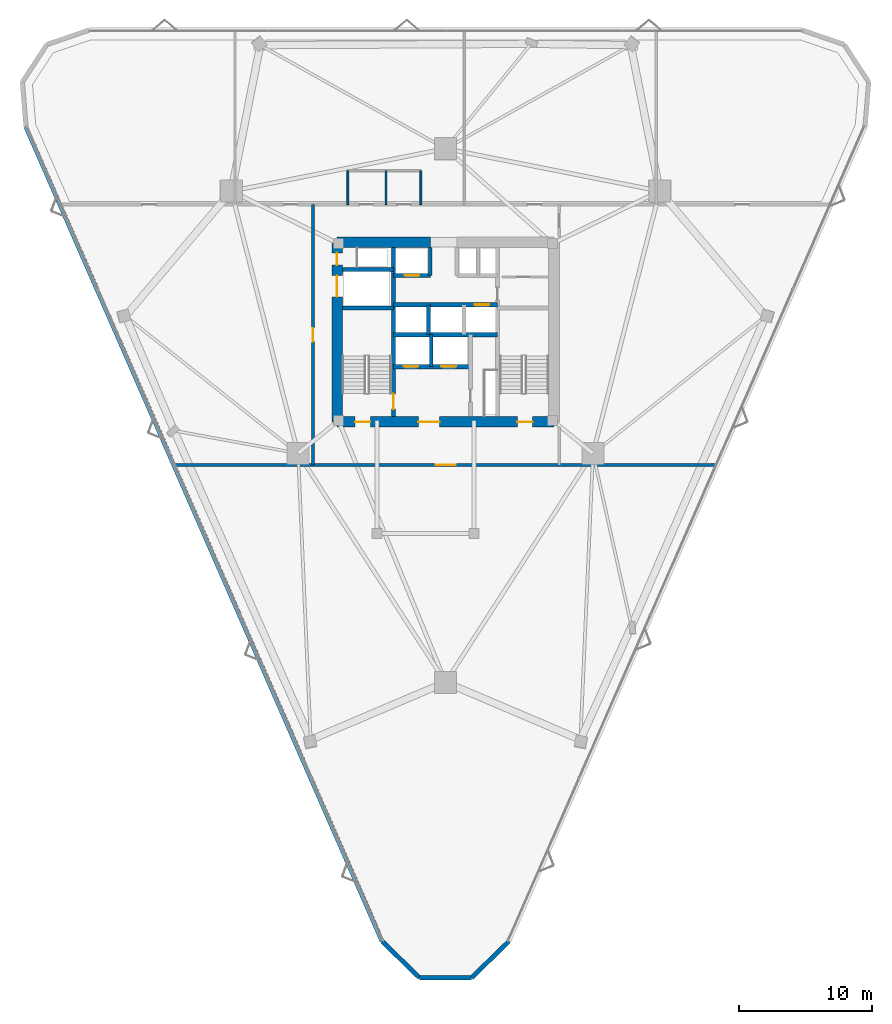
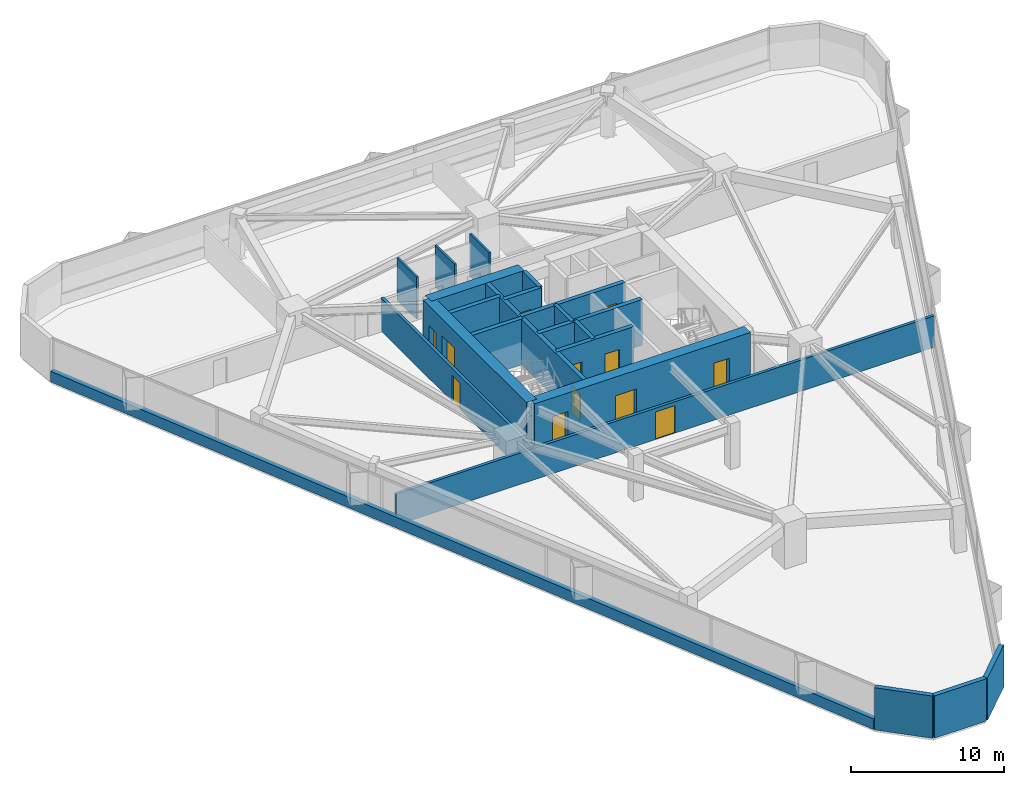
# One storey, part 15 of 20: 22 walls, 12 doors, 12 openings.
"""IFC4 building model written with IfcOpenShell, lengths in metres."""

from ifc_helpers import new_model, si_unit, direction, frame, frame_2d, origin, place, context, subcontext, project, spatial, rectangle, extrude, material, layer, layer_set, type_object, element, fill, save


model = new_model("IFC4")

# Units and contexts
model_context = context("Model", 3, precision=1e-05, world=origin(), true_north=direction((0.0, 1.0)))
body_context = subcontext(model_context, "Body", "Model", "MODEL_VIEW")
ifc_project = project(units=[si_unit("LENGTHUNIT", "METRE"), si_unit("AREAUNIT", "SQUARE_METRE"), si_unit("VOLUMEUNIT", "CUBIC_METRE"), si_unit("PLANEANGLEUNIT", "RADIAN"), si_unit("MASSUNIT", "GRAM", prefix="KILO")], contexts=[model_context])

# Site, building, storey
site_placement = place(None, origin())
site = spatial("IfcSite", under=ifc_project, at=site_placement, CompositionType="ELEMENT")
building_placement = place(site_placement, origin())
building = spatial("IfcBuilding", under=site, at=building_placement, Name="Talyreon Biosciences Tower", CompositionType="ELEMENT")
storey_placement = place(building_placement, frame((0.0, 0.0, 78.64990234375)))
storey = spatial("IfcBuildingStorey", under=building, at=storey_placement, Name="L20", CompositionType="ELEMENT", Elevation=78.64990234375)

# Walls
ifc_material_1 = material(Name="Concrete C50/60", Category="concrete")
ifc_layer_1 = layer(ifc_material_1, 0.280029296875)
ifc_layer_set_1 = layer_set([ifc_layer_1], Name="Concrete C50/60")
wall_type_1 = type_object("IfcWallType", Name="CoreShearWall_280", PredefinedType="SHEAR", material=ifc_layer_set_1)
wall_1_placement = place(storey_placement, frame((64.919921875, 65.39990234375, 0.0), z_axis=(0.0, 0.0, 1.0), x_axis=(0.0, 1.0, 0.0)))
element("IfcWall", 1, at=wall_1_placement, inside=storey, type_object=wall_type_1, Name="L20 Core Shaft Wall SWSHD1", PredefinedType="SHEAR", context=body_context, shape_type="SweptSolid", body=[
    extrude(rectangle(XDim=2.400146484375, YDim=0.280029296875, at=frame_2d((1.2001953125, 0.0))), origin(), (0.0, 0.0, 1.0), 3.650146484375),
])
wall_2_placement = place(storey_placement, frame((64.85009765625, 72.25, 0.0), z_axis=(0.0, 0.0, 1.0), x_axis=(0.0, 1.0, 0.0)))
element("IfcWall", 2, at=wall_2_placement, inside=storey, type_object=wall_type_1, Name="L20 Core Shaft Wall SWTHW", PredefinedType="SHEAR", context=body_context, shape_type="SweptSolid", body=[
    extrude(rectangle(XDim=2.10009765625, YDim=0.280029296875, at=frame_2d((1.050048828125, 0.0))), origin(), (0.0, 0.0, 1.0), 3.650146484375),
])
wall_3_placement = place(storey_placement, frame((64.719970703125, 67.800048828125, 0.0), z_axis=(0.0, 0.0, 1.0), x_axis=(0.0, 1.0, 0.0)))
element("IfcWall", 3, at=wall_3_placement, inside=storey, type_object=wall_type_1, Name="L20 Core Shaft Wall SWPLD", PredefinedType="SHEAR", context=body_context, shape_type="SweptSolid", body=[
    extrude(rectangle(XDim=2.25, YDim=0.280029296875, at=frame_2d((1.125, 0.0))), origin(), (0.0, 0.0, 1.0), 3.650146484375),
])

# Wall, opening, door
ifc_layer_2 = layer(ifc_material_1, 0.320068359375)
ifc_layer_set_2 = layer_set([ifc_layer_2], Name="Concrete C50/60")
wall_type_2 = type_object("IfcWallType", Name="CoreShearWall_320", PredefinedType="SHEAR", material=ifc_layer_set_2)
wall_4_placement = place(storey_placement, frame((62.090087890625, 61.64990234375, 0.0), z_axis=(0.0, 0.0, 1.0), x_axis=(0.0, 1.0, 0.0)))
wall_4 = element("IfcWall", 4, at=wall_4_placement, inside=storey, type_object=wall_type_2, Name="L20 Core Shaft Wall SW1E", PredefinedType="SHEAR", context=body_context, shape_type="SweptSolid", body=[
    extrude(rectangle(XDim=12.7001953125, YDim=0.320068359375, at=frame_2d((6.35009765625, 0.0))), origin(), (0.0, 0.0, 1.0), 3.650146484375),
])
opening_1_placement = place(wall_4_placement, frame((0.550048828125, 0.0, 0.0)))
opening_1 = element("IfcOpeningElement", 5, at=opening_1_placement, cuts=wall_4, Name="Opening DR-L20-FF-ST1", PredefinedType="OPENING", context=body_context, shape_type="SweptSolid", body=[
    extrude(rectangle(XDim=1.14990234375, YDim=2.14990234375, at=frame_2d((0.574951171875, 1.074951171875))), frame((0.0, 0.169921875, 0.0), z_axis=(0.0, -1.0, 0.0), x_axis=(1.0, 0.0, 0.0)), (0.0, 0.0, 1.0), 0.340087890625),
])
ifc_material_2 = material(Name="Painted steel fire door", Category="steel")
door_type_1 = type_object("IfcDoorType", Name="StairShaftFireDoor_1150x2150", OperationType="NOTDEFINED", PredefinedType="DOOR", material=ifc_material_2)
door_1_placement = place(opening_1_placement, origin())
door_1 = element("IfcDoor", 6, at=door_1_placement, inside=storey, type_object=door_type_1, Name="L20 Core Door DR-L20-FF-ST1", OperationType="SINGLE_SWING_LEFT", OverallHeight=2.14990234375, OverallWidth=1.14990234375, PredefinedType="DOOR", context=body_context, shape_type="SweptSolid", body=[
    extrude(rectangle(XDim=1.14990234375, YDim=2.14990234375, at=frame_2d((0.574951171875, 1.074951171875))), frame((0.0, 0.02490234375, 0.0), z_axis=(0.0, -1.0, 0.0), x_axis=(1.0, 0.0, 0.0)), (0.0, 0.0, 1.0), 0.050048828125),
])
fill(opening_1, door_1)

# Walls
for number, where, z_axis, x_axis, name in (
    (7, (58.25, 69.81005859375, 0.0), (0.0, 0.0, 1.0), (1.0, 0.0, 0.0), "L20 Core Shaft Wall SW1N"),
    (8, (58.25, 72.699951171875, 0.0), (0.0, 0.0, 1.0), (1.0, 0.0, 0.0), "L20 Core Shaft Wall SWGLN"),
):
    element("IfcWall", number, at=place(storey_placement, frame(where, z_axis=z_axis, x_axis=x_axis)), inside=storey, type_object=wall_type_2, Name=name, PredefinedType="SHEAR", context=body_context, shape_type="SweptSolid", body=[
        extrude(rectangle(XDim=3.840087890625, YDim=0.320068359375, at=frame_2d((1.919921875, 0.0))), origin(), (0.0, 0.0, 1.0), 3.650146484375),
    ])
wall_5_placement = place(storey_placement, frame((62.090087890625, 67.800048828125, 0.0), z_axis=(0.0, 0.0, 1.0), x_axis=(1.0, 0.0, 0.0)))
element("IfcWall", 9, at=wall_5_placement, inside=storey, type_object=wall_type_2, Name="L20 Core Shaft Wall SWSHM", PredefinedType="SHEAR", context=body_context, shape_type="SweptSolid", body=[
    extrude(rectangle(XDim=7.81982421875, YDim=0.320068359375, at=frame_2d((3.909912109375, 0.0))), origin(), (0.0, 0.0, 1.0), 3.650146484375),
])

# Wall, opening, door
wall_6_placement = place(storey_placement, frame((62.090087890625, 70.050048828125, 0.0), z_axis=(0.0, 0.0, 1.0), x_axis=(1.0, 0.0, 0.0)))
wall_6 = element("IfcWall", 10, at=wall_6_placement, inside=storey, type_object=wall_type_2, Name="L20 Core Shaft Wall SWSPN", PredefinedType="SHEAR", context=body_context, shape_type="SweptSolid", body=[
    extrude(rectangle(XDim=7.81982421875, YDim=0.320068359375, at=frame_2d((3.909912109375, 0.0))), origin(), (0.0, 0.0, 1.0), 3.650146484375),
])
opening_2_placement = place(wall_6_placement, frame((6.10009765625, 0.0, 0.0)))
opening_2 = element("IfcOpeningElement", 11, at=opening_2_placement, cuts=wall_6, Name="Opening LD-L20-PM1", PredefinedType="OPENING", context=body_context, shape_type="SweptSolid", body=[
    extrude(rectangle(XDim=1.10009765625, YDim=2.199951171875, at=frame_2d((0.550048828125, 1.10009765625))), frame((0.0, 0.169921875, 0.0), z_axis=(0.0, -1.0, 0.0), x_axis=(1.0, 0.0, 0.0)), (0.0, 0.0, 1.0), 0.340087890625),
])
ifc_material_3 = material(Name="Brushed stainless-steel lift landing door", Category="steel")
door_type_2 = type_object("IfcDoorType", Name="LiftSlidingLandingDoor_1100x2200", OperationType="SLIDING_TO_LEFT", PredefinedType="DOOR", material=ifc_material_3)
door_2_placement = place(opening_2_placement, origin())
door_2 = element("IfcDoor", 12, at=door_2_placement, inside=storey, type_object=door_type_2, Name="L20 Core Door LD-L20-PM1", OperationType="SLIDING_TO_LEFT", OverallHeight=2.199951171875, OverallWidth=1.10009765625, PredefinedType="DOOR", context=body_context, shape_type="SweptSolid", body=[
    extrude(rectangle(XDim=1.10009765625, YDim=2.199951171875, at=frame_2d((0.550048828125, 1.10009765625))), frame((0.0, 0.02490234375, 0.0), z_axis=(0.0, -1.0, 0.0), x_axis=(1.0, 0.0, 0.0)), (0.0, 0.0, 1.0), 0.050048828125),
])
fill(opening_2, door_2)

wall_7_placement = place(storey_placement, frame((62.090087890625, 72.25, 0.0), z_axis=(0.0, 0.0, 1.0), x_axis=(1.0, 0.0, 0.0)))
wall_7 = element("IfcWall", 13, at=wall_7_placement, inside=storey, type_object=wall_type_2, Name="L20 Core Shaft Wall SWNPW", PredefinedType="SHEAR", context=body_context, shape_type="SweptSolid", body=[
    extrude(rectangle(XDim=2.760009765625, YDim=0.320068359375, at=frame_2d((1.3798828125, 0.0))), origin(), (0.0, 0.0, 1.0), 3.650146484375),
])
opening_3_placement = place(wall_7_placement, frame((0.85009765625, 0.0, 0.0)))
opening_3 = element("IfcOpeningElement", 14, at=opening_3_placement, cuts=wall_7, Name="Opening LD-L20-PM2", PredefinedType="OPENING", context=body_context, shape_type="SweptSolid", body=[
    extrude(rectangle(XDim=1.10009765625, YDim=2.199951171875, at=frame_2d((0.550048828125, 1.10009765625))), frame((0.0, 0.169921875, 0.0), z_axis=(0.0, -1.0, 0.0), x_axis=(1.0, 0.0, 0.0)), (0.0, 0.0, 1.0), 0.340087890625),
])
door_3_placement = place(opening_3_placement, origin())
door_3 = element("IfcDoor", 15, at=door_3_placement, inside=storey, type_object=door_type_2, Name="L20 Core Door LD-L20-PM2", OperationType="SLIDING_TO_LEFT", OverallHeight=2.199951171875, OverallWidth=1.10009765625, PredefinedType="DOOR", context=body_context, shape_type="SweptSolid", body=[
    extrude(rectangle(XDim=1.10009765625, YDim=2.199951171875, at=frame_2d((0.550048828125, 1.10009765625))), frame((0.0, 0.02490234375, 0.0), z_axis=(0.0, -1.0, 0.0), x_axis=(1.0, 0.0, 0.0)), (0.0, 0.0, 1.0), 0.050048828125),
])
fill(opening_3, door_3)

# Wall, openings, doors
wall_8_placement = place(storey_placement, frame((62.090087890625, 65.39990234375, 0.0), z_axis=(0.0, 0.0, 1.0), x_axis=(1.0, 0.0, 0.0)))
wall_8 = element("IfcWall", 16, at=wall_8_placement, inside=storey, type_object=wall_type_2, Name="L20 Core Shaft Wall SWFFN", PredefinedType="SHEAR", context=body_context, shape_type="SweptSolid", body=[
    extrude(rectangle(XDim=5.789794921875, YDim=0.320068359375, at=frame_2d((2.89501953125, 0.0))), origin(), (0.0, 0.0, 1.0), 3.650146484375),
])
opening_4_placement = place(wall_8_placement, frame((0.75, 0.0, 0.0)))
opening_4 = element("IfcOpeningElement", 17, at=opening_4_placement, cuts=wall_8, Name="Opening LD-L20-FL1", PredefinedType="OPENING", context=body_context, shape_type="SweptSolid", body=[
    extrude(rectangle(XDim=1.10009765625, YDim=2.199951171875, at=frame_2d((0.550048828125, 1.10009765625))), frame((0.0, 0.169921875, 0.0), z_axis=(0.0, -1.0, 0.0), x_axis=(1.0, 0.0, 0.0)), (0.0, 0.0, 1.0), 0.340087890625),
])
opening_5_placement = place(wall_8_placement, frame((3.60009765625, 0.0, 0.0)))
opening_5 = element("IfcOpeningElement", 18, at=opening_5_placement, cuts=wall_8, Name="Opening LD-L20-FL2", PredefinedType="OPENING", context=body_context, shape_type="SweptSolid", body=[
    extrude(rectangle(XDim=1.10009765625, YDim=2.199951171875, at=frame_2d((0.550048828125, 1.10009765625))), frame((0.0, 0.169921875, 0.0), z_axis=(0.0, -1.0, 0.0), x_axis=(1.0, 0.0, 0.0)), (0.0, 0.0, 1.0), 0.340087890625),
])
door_4_placement = place(opening_4_placement, origin())
door_4 = element("IfcDoor", 19, at=door_4_placement, inside=storey, type_object=door_type_2, Name="L20 Core Door LD-L20-FL1", OperationType="SLIDING_TO_LEFT", OverallHeight=2.199951171875, OverallWidth=1.10009765625, PredefinedType="DOOR", context=body_context, shape_type="SweptSolid", body=[
    extrude(rectangle(XDim=1.10009765625, YDim=2.199951171875, at=frame_2d((0.550048828125, 1.10009765625))), frame((0.0, 0.02490234375, 0.0), z_axis=(0.0, -1.0, 0.0), x_axis=(1.0, 0.0, 0.0)), (0.0, 0.0, 1.0), 0.050048828125),
])
fill(opening_4, door_4)
door_5_placement = place(opening_5_placement, origin())
door_5 = element("IfcDoor", 20, at=door_5_placement, inside=storey, type_object=door_type_2, Name="L20 Core Door LD-L20-FL2", OperationType="SLIDING_TO_LEFT", OverallHeight=2.199951171875, OverallWidth=1.10009765625, PredefinedType="DOOR", context=body_context, shape_type="SweptSolid", body=[
    extrude(rectangle(XDim=1.10009765625, YDim=2.199951171875, at=frame_2d((0.550048828125, 1.10009765625))), frame((0.0, 0.02490234375, 0.0), z_axis=(0.0, -1.0, 0.0), x_axis=(1.0, 0.0, 0.0)), (0.0, 0.0, 1.0), 0.050048828125),
])
fill(opening_5, door_5)

ifc_material_4 = material(Name="Concrete C60/75", Category="concrete")
ifc_layer_3 = layer(ifc_material_4, 0.800048828125)
ifc_layer_set_3 = layer_set([ifc_layer_3], Name="Concrete C60/75")
wall_type_3 = type_object("IfcWallType", Name="CoreShearWall_800", PredefinedType="SHEAR", material=ifc_layer_set_3)
wall_9_placement = place(storey_placement, frame((57.85009765625, 61.25, 0.0), z_axis=(0.0, 0.0, 1.0), x_axis=(1.0, 0.0, 0.0)))
wall_9 = element("IfcWall", 21, at=wall_9_placement, inside=storey, type_object=wall_type_3, Name="L20 Core Shear Wall S", PredefinedType="SHEAR", context=body_context, shape_type="SweptSolid", body=[
    extrude(rectangle(XDim=16.2998046875, YDim=0.800048828125, at=frame_2d((8.14990234375, 0.0))), origin(), (0.0, 0.0, 1.0), 3.650146484375),
])
opening_6_placement = place(wall_9_placement, frame((1.35009765625, 0.0, 0.0)))
opening_6 = element("IfcOpeningElement", 22, at=opening_6_placement, cuts=wall_9, Name="Opening DR-L20-ST1", PredefinedType="OPENING", context=body_context, shape_type="SweptSolid", body=[
    extrude(rectangle(XDim=1.14990234375, YDim=2.14990234375, at=frame_2d((0.574951171875, 1.074951171875))), frame((0.0, 0.409912109375, 0.0), z_axis=(0.0, -1.0, 0.0), x_axis=(1.0, 0.0, 0.0)), (0.0, 0.0, 1.0), 0.820068359375),
])
opening_7_placement = place(wall_9_placement, frame((6.10009765625, 0.0, 0.0)))
opening_7 = element("IfcOpeningElement", 23, at=opening_7_placement, cuts=wall_9, Name="Opening DR-L20-FFL", PredefinedType="OPENING", context=body_context, shape_type="SweptSolid", body=[
    extrude(rectangle(XDim=1.60009765625, YDim=2.14990234375, at=frame_2d((0.800048828125, 1.074951171875))), frame((0.0, 0.409912109375, 0.0), z_axis=(0.0, -1.0, 0.0), x_axis=(1.0, 0.0, 0.0)), (0.0, 0.0, 1.0), 0.820068359375),
])
opening_8_placement = place(wall_9_placement, frame((13.550048828125, 0.0, 0.0)))
opening_8 = element("IfcOpeningElement", 24, at=opening_8_placement, cuts=wall_9, Name="Opening DR-L20-ST2", PredefinedType="OPENING", context=body_context, shape_type="SweptSolid", body=[
    extrude(rectangle(XDim=1.14990234375, YDim=2.14990234375, at=frame_2d((0.574951171875, 1.074951171875))), frame((0.0, 0.409912109375, 0.0), z_axis=(0.0, -1.0, 0.0), x_axis=(1.0, 0.0, 0.0)), (0.0, 0.0, 1.0), 0.820068359375),
])
ifc_material_5 = material(Name="Painted steel smoke-seal fire door", Category="steel")
door_type_3 = type_object("IfcDoorType", Name="FirefightingLobbyDoubleDoor_1600x2150", OperationType="DOUBLE_DOOR_SINGLE_SWING", PredefinedType="DOOR", material=ifc_material_5)
door_6_placement = place(opening_7_placement, origin())
door_6 = element("IfcDoor", 25, at=door_6_placement, inside=storey, type_object=door_type_3, Name="L20 Core Door DR-L20-FFL", OperationType="DOUBLE_DOOR_SINGLE_SWING", OverallHeight=2.14990234375, OverallWidth=1.60009765625, PredefinedType="DOOR", context=body_context, shape_type="SweptSolid", body=[
    extrude(rectangle(XDim=1.60009765625, YDim=2.14990234375, at=frame_2d((0.800048828125, 1.074951171875))), frame((0.0, 0.02490234375, 0.0), z_axis=(0.0, -1.0, 0.0), x_axis=(1.0, 0.0, 0.0)), (0.0, 0.0, 1.0), 0.050048828125),
])
fill(opening_7, door_6)
door_7_placement = place(opening_6_placement, origin())
door_7 = element("IfcDoor", 26, at=door_7_placement, inside=storey, type_object=door_type_1, Name="L20 Core Door DR-L20-ST1", OperationType="SINGLE_SWING_LEFT", OverallHeight=2.14990234375, OverallWidth=1.14990234375, PredefinedType="DOOR", context=body_context, shape_type="SweptSolid", body=[
    extrude(rectangle(XDim=1.14990234375, YDim=2.14990234375, at=frame_2d((0.574951171875, 1.074951171875))), frame((0.0, 0.02490234375, 0.0), z_axis=(0.0, -1.0, 0.0), x_axis=(1.0, 0.0, 0.0)), (0.0, 0.0, 1.0), 0.050048828125),
])
fill(opening_6, door_7)
door_8_placement = place(opening_8_placement, origin())
door_8 = element("IfcDoor", 27, at=door_8_placement, inside=storey, type_object=door_type_1, Name="L20 Core Door DR-L20-ST2", OperationType="SINGLE_SWING_RIGHT", OverallHeight=2.14990234375, OverallWidth=1.14990234375, PredefinedType="DOOR", context=body_context, shape_type="SweptSolid", body=[
    extrude(rectangle(XDim=1.14990234375, YDim=2.14990234375, at=frame_2d((0.574951171875, 1.074951171875))), frame((0.0, 0.02490234375, 0.0), z_axis=(0.0, -1.0, 0.0), x_axis=(1.0, 0.0, 0.0)), (0.0, 0.0, 1.0), 0.050048828125),
])
fill(opening_8, door_8)

# Wall
wall_10_placement = place(storey_placement, frame((64.85009765625, 74.75, 0.0), z_axis=(0.0, 0.0, 1.0), x_axis=(-1.0, 0.0, 0.0)))
element("IfcWall", 28, at=wall_10_placement, inside=storey, type_object=wall_type_3, Name="L20 Core Shear Wall NW", PredefinedType="SHEAR", context=body_context, shape_type="SweptSolid", body=[
    extrude(rectangle(XDim=7.0, YDim=0.800048828125, at=frame_2d((3.5, 0.0))), origin(), (0.0, 0.0, 1.0), 3.650146484375),
])

# Wall, openings, doors
wall_11_placement = place(storey_placement, frame((57.85009765625, 74.75, 0.0), z_axis=(0.0, 0.0, 1.0), x_axis=(0.0, -1.0, 0.0)))
wall_11 = element("IfcWall", 29, at=wall_11_placement, inside=storey, type_object=wall_type_3, Name="L20 Core Shear Wall W", PredefinedType="SHEAR", context=body_context, shape_type="SweptSolid", body=[
    extrude(rectangle(XDim=13.5, YDim=0.800048828125, at=frame_2d((6.75, 0.0))), origin(), (0.0, 0.0, 1.0), 3.650146484375),
])
opening_9_placement = place(wall_11_placement, frame((0.800048828125, 0.0, 0.0)))
opening_9 = element("IfcOpeningElement", 30, at=opening_9_placement, cuts=wall_11, Name="Opening DR-L20-RSW", PredefinedType="OPENING", context=body_context, shape_type="SweptSolid", body=[
    extrude(rectangle(XDim=0.919921875, YDim=2.050048828125, at=frame_2d((0.4599609375, 1.02490234375))), frame((0.0, 0.409912109375, 0.0), z_axis=(0.0, -1.0, 0.0), x_axis=(1.0, 0.0, 0.0)), (0.0, 0.0, 1.0), 0.820068359375),
])
opening_10_placement = place(wall_11_placement, frame((2.5, 0.0, 0.0)))
opening_10 = element("IfcOpeningElement", 31, at=opening_10_placement, cuts=wall_11, Name="Opening LD-L20-GL1", PredefinedType="OPENING", context=body_context, shape_type="SweptSolid", body=[
    extrude(rectangle(XDim=1.60009765625, YDim=2.300048828125, at=frame_2d((0.800048828125, 1.14990234375))), frame((0.0, 0.409912109375, 0.0), z_axis=(0.0, -1.0, 0.0), x_axis=(1.0, 0.0, 0.0)), (0.0, 0.0, 1.0), 0.820068359375),
])
ifc_material_6 = material(Name="Heavy-duty stainless-steel goods lift door", Category="steel")
door_type_4 = type_object("IfcDoorType", Name="GoodsLiftSlidingDoor_1600x2300", OperationType="DOUBLE_DOOR_SLIDING", PredefinedType="DOOR", material=ifc_material_6)
door_9_placement = place(opening_10_placement, origin())
door_9 = element("IfcDoor", 32, at=door_9_placement, inside=storey, type_object=door_type_4, Name="L20 Core Door LD-L20-GL1", OperationType="DOUBLE_DOOR_SLIDING", OverallHeight=2.300048828125, OverallWidth=1.60009765625, PredefinedType="DOOR", context=body_context, shape_type="SweptSolid", body=[
    extrude(rectangle(XDim=1.60009765625, YDim=2.300048828125, at=frame_2d((0.800048828125, 1.14990234375))), frame((0.0, 0.02490234375, 0.0), z_axis=(0.0, -1.0, 0.0), x_axis=(1.0, 0.0, 0.0)), (0.0, 0.0, 1.0), 0.050048828125),
])
fill(opening_10, door_9)
ifc_material_7 = material(Name="Painted steel fire-rated riser door", Category="steel")
door_type_5 = type_object("IfcDoorType", Name="RiserPlantAccessDoor_920x2050", OperationType="NOTDEFINED", PredefinedType="DOOR", material=ifc_material_7)
door_10_placement = place(opening_9_placement, origin())
door_10 = element("IfcDoor", 33, at=door_10_placement, inside=storey, type_object=door_type_5, Name="L20 Core Door DR-L20-RSW", OperationType="SINGLE_SWING_LEFT", OverallHeight=2.050048828125, OverallWidth=0.919921875, PredefinedType="DOOR", context=body_context, shape_type="SweptSolid", body=[
    extrude(rectangle(XDim=0.919921875, YDim=2.050048828125, at=frame_2d((0.4599609375, 1.02490234375))), frame((0.0, 0.02490234375, 0.0), z_axis=(0.0, -1.0, 0.0), x_axis=(1.0, 0.0, 0.0)), (0.0, 0.0, 1.0), 0.050048828125),
])
fill(opening_9, door_10)

# Wall, opening, door
ifc_material_8 = material(Name="Gypsum fireboard acoustic stud", Category="gypsum")
ifc_layer_4 = layer(ifc_material_8, 0.219970703125)
ifc_layer_set_4 = layer_set([ifc_layer_4], Name="Gypsum fireboard acoustic stud")
wall_type_4 = type_object("IfcWallType", Name="CorridorRatedPartition_220", PredefinedType="PARTITIONING", material=ifc_layer_set_4)
wall_12_placement = place(storey_placement, frame((45.668212890625, 58.0, 0.0), z_axis=(0.0, 0.0, 1.0), x_axis=(1.0, 0.0, 0.0)))
wall_12 = element("IfcWall", 34, at=wall_12_placement, inside=storey, type_object=wall_type_4, Name="L20 Interior Wall IW-L20-COR-S", PredefinedType="PARTITIONING", context=body_context, shape_type="SweptSolid", body=[
    extrude(rectangle(XDim=40.66357421875, YDim=0.219970703125, at=frame_2d((20.331787109375, 0.0))), origin(), (0.0, 0.0, 1.0), 2.505126953125),
])
opening_11_placement = place(wall_12_placement, frame((19.58203125, 0.0, 0.0)))
opening_11 = element("IfcOpeningElement", 35, at=opening_11_placement, cuts=wall_12, Name="Opening DR-L20-S1A", PredefinedType="OPENING", context=body_context, shape_type="SweptSolid", body=[
    extrude(rectangle(XDim=1.5, YDim=2.199951171875, at=frame_2d((0.75, 1.10009765625))), frame((0.0, 0.119873046875, 0.0), z_axis=(0.0, -1.0, 0.0), x_axis=(1.0, 0.0, 0.0)), (0.0, 0.0, 1.0), 0.239990234375),
])
ifc_material_9 = material(Name="Vision-panel steel laboratory fire door", Category="steel")
door_type_6 = type_object("IfcDoorType", Name="WetLabDoubleLeafDoor_1500x2200", OperationType="DOUBLE_DOOR_SINGLE_SWING", PredefinedType="DOOR", material=ifc_material_9)
door_11_placement = place(opening_11_placement, origin())
door_11 = element("IfcDoor", 36, at=door_11_placement, inside=storey, type_object=door_type_6, Name="L20 Interior Door DR-L20-S1A", OperationType="DOUBLE_DOOR_SINGLE_SWING", OverallHeight=2.199951171875, OverallWidth=1.5, PredefinedType="DOOR", context=body_context, shape_type="SweptSolid", body=[
    extrude(rectangle(XDim=1.5, YDim=2.199951171875, at=frame_2d((0.75, 1.10009765625))), frame((0.0, 0.02490234375, 0.0), z_axis=(0.0, -1.0, 0.0), x_axis=(1.0, 0.0, 0.0)), (0.0, 0.0, 1.0), 0.050048828125),
])
fill(opening_11, door_11)

wall_13_placement = place(storey_placement, frame((56.030029296875, 58.0, 0.0), z_axis=(0.0, 0.0, 1.0), x_axis=(0.0, 1.0, 0.0)))
wall_13 = element("IfcWall", 37, at=wall_13_placement, inside=storey, type_object=wall_type_4, Name="L20 Interior Wall IW-L20-COR-W", PredefinedType="PARTITIONING", context=body_context, shape_type="SweptSolid", body=[
    extrude(rectangle(XDim=19.580078125, YDim=0.219970703125, at=frame_2d((9.7900390625, 0.0))), origin(), (0.0, 0.0, 1.0), 2.655029296875),
])
opening_12_placement = place(wall_13_placement, frame((9.2900390625, 0.0, 0.0)))
opening_12 = element("IfcOpeningElement", 38, at=opening_12_placement, cuts=wall_13, Name="Opening DR-L20-W1A", PredefinedType="OPENING", context=body_context, shape_type="SweptSolid", body=[
    extrude(rectangle(XDim=1.0, YDim=2.10009765625, at=frame_2d((0.5, 1.050048828125))), frame((0.0, 0.119873046875, 0.0), z_axis=(0.0, -1.0, 0.0), x_axis=(1.0, 0.0, 0.0)), (0.0, 0.0, 1.0), 0.239990234375),
])
ifc_material_10 = material(Name="Acoustic oak veneer office door", Category="wood")
door_type_7 = type_object("IfcDoorType", Name="WriteupOfficeDoor_1000x2100", OperationType="NOTDEFINED", PredefinedType="DOOR", material=ifc_material_10)
door_12_placement = place(opening_12_placement, origin())
door_12 = element("IfcDoor", 39, at=door_12_placement, inside=storey, type_object=door_type_7, Name="L20 Interior Door DR-L20-W1A", OperationType="SINGLE_SWING_RIGHT", OverallHeight=2.10009765625, OverallWidth=1.0, PredefinedType="DOOR", context=body_context, shape_type="SweptSolid", body=[
    extrude(rectangle(XDim=1.0, YDim=2.10009765625, at=frame_2d((0.5, 1.050048828125))), frame((0.0, 0.02490234375, 0.0), z_axis=(0.0, -1.0, 0.0), x_axis=(1.0, 0.0, 0.0)), (0.0, 0.0, 1.0), 0.050048828125),
])
fill(opening_12, door_12)

# Walls
ifc_material_11 = material(Name="Precast concrete C45/55", Category="concrete")
ifc_layer_5 = layer(ifc_material_11, 0.340087890625)
ifc_layer_set_5 = layer_set([ifc_layer_5], Name="Precast concrete C45/55")
wall_type_5 = type_object("IfcWallType", Name="PrecastConcreteSpandrelWall_340", PredefinedType="STANDARD", material=ifc_layer_set_5)
wall_14_placement = place(storey_placement, frame((61.235595703125, 22.191162109375, 0.0), z_axis=(0.0, 0.0, 1.0), x_axis=(-0.400686629733, 0.916215162914, 0.0)))
element("IfcWall", 40, at=wall_14_placement, inside=storey, type_object=wall_type_5, Name="L20 Expressed Concrete Sill Wall 00", PredefinedType="STANDARD", context=body_context, shape_type="SweptSolid", body=[
    extrude(rectangle(XDim=66.84619140625, YDim=0.340087890625, at=frame_2d((33.423095703125, 0.0))), origin(), (0.0, 0.0, 1.0), 0.85009765625),
])
wall_15_placement = place(storey_placement, frame((70.764404296875, 22.191162109375, 0.0), z_axis=(0.0, 0.0, 1.0), x_axis=(-0.716301473577, -0.697790942153, 0.0)))
element("IfcWall", 41, at=wall_15_placement, inside=storey, type_object=wall_type_5, Name="L20 Rounded-Corner Concrete Pier 09", PredefinedType="STANDARD", context=body_context, shape_type="SweptSolid", body=[
    extrude(rectangle(XDim=3.917236328125, YDim=0.340087890625, at=frame_2d((1.95849609375, 0.0))), origin(), (0.0, 0.0, 1.0), 3.375),
])
wall_16_placement = place(storey_placement, frame((67.95849609375, 19.457763671875, 0.0), z_axis=(0.0, 0.0, 1.0), x_axis=(-1.0, 0.0, 0.0)))
element("IfcWall", 42, at=wall_16_placement, inside=storey, type_object=wall_type_5, Name="L20 Rounded-Corner Concrete Pier 10", PredefinedType="STANDARD", context=body_context, shape_type="SweptSolid", body=[
    extrude(rectangle(XDim=3.9169921875, YDim=0.340087890625, at=frame_2d((1.95849609375, 0.0))), origin(), (0.0, 0.0, 1.0), 3.375),
])
wall_17_placement = place(storey_placement, frame((64.04150390625, 19.457763671875, 0.0), z_axis=(0.0, 0.0, 1.0), x_axis=(-0.716301473577, 0.697790942153, 0.0)))
element("IfcWall", 43, at=wall_17_placement, inside=storey, type_object=wall_type_5, Name="L20 Rounded-Corner Concrete Pier 11", PredefinedType="STANDARD", context=body_context, shape_type="SweptSolid", body=[
    extrude(rectangle(XDim=3.917236328125, YDim=0.340087890625, at=frame_2d((1.95849609375, 0.0))), origin(), (0.0, 0.0, 1.0), 3.375),
])
ifc_material_12 = material(Name="Moisture-resistant cement-board stud", Category="gypsum")
ifc_layer_6 = layer(ifc_material_12, 0.14501953125)
ifc_layer_set_6 = layer_set([ifc_layer_6], Name="Moisture-resistant cement-board stud")
wall_type_6 = type_object("IfcWallType", Name="WetRoomPartition_145", PredefinedType="PARTITIONING", material=ifc_layer_set_6)
for number, where, z_axis, x_axis, name in (
    (44, (58.64990234375, 77.580078125, 0.0), (0.0, 0.0, 1.0), (0.0, 1.0, 0.0), "L20 Interior Wall IW-L20-WCL"),
    (45, (61.52490234375, 77.580078125, 0.0), (0.0, 0.0, 1.0), (0.0, 1.0, 0.0), "L20 Interior Wall IW-L20-WCM"),
    (46, (64.14990234375, 77.580078125, 0.0), (0.0, 0.0, 1.0), (0.0, 1.0, 0.0), "L20 Interior Wall IW-L20-WCR"),
):
    element("IfcWall", number, at=place(storey_placement, frame(where, z_axis=z_axis, x_axis=x_axis)), inside=storey, type_object=wall_type_6, Name=name, PredefinedType="PARTITIONING", context=body_context, shape_type="SweptSolid", body=[
        extrude(rectangle(XDim=2.5498046875, YDim=0.14501953125, at=frame_2d((1.27490234375, 0.0))), origin(), (0.0, 0.0, 1.0), 3.375),
    ])

save(model, "model.ifc")
